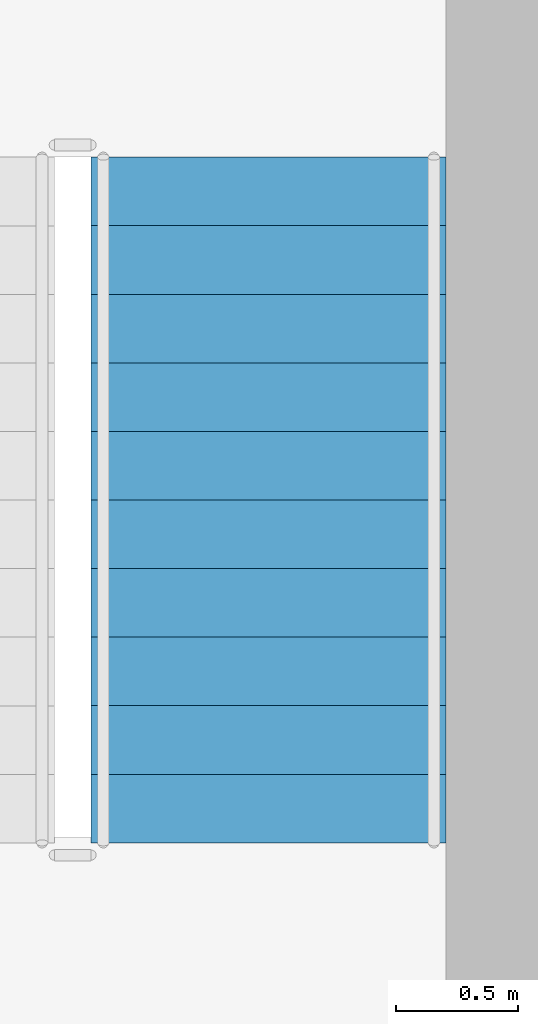
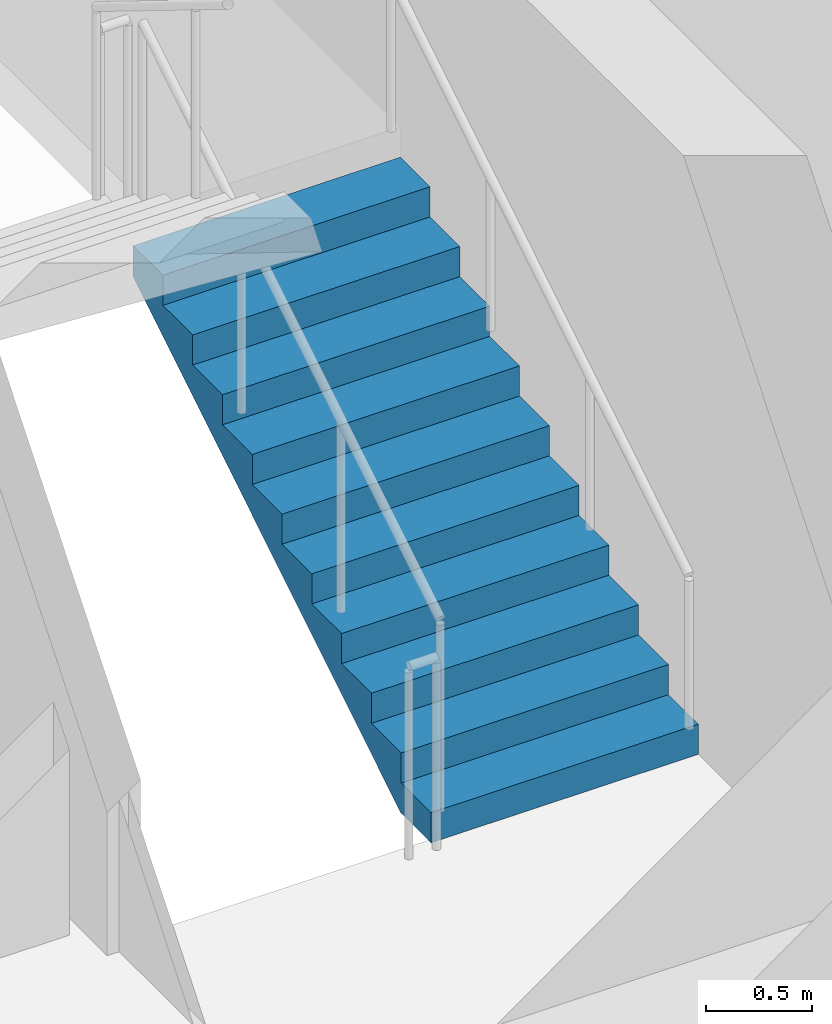
# One storey, part 31 of 34: 1 stair flight, 1 element without a shape of its own.
"""IFC4 building model written with IfcOpenShell, lengths in metres."""

from ifc_helpers import new_model, si_unit, direction, frame, origin, place, context, subcontext, project, spatial, polyline, outline, extrude, material, type_object, element, aggregate, save


model = new_model("IFC4")

# Units and contexts
model_context = context("Model", 3, precision=1e-05, world=origin(), true_north=direction((0.0, 1.0)))
body_context = subcontext(model_context, "Body", "Model", "MODEL_VIEW")
ifc_project = project(units=[si_unit("LENGTHUNIT", "METRE"), si_unit("AREAUNIT", "SQUARE_METRE"), si_unit("VOLUMEUNIT", "CUBIC_METRE"), si_unit("PLANEANGLEUNIT", "RADIAN"), si_unit("MASSUNIT", "GRAM", prefix="KILO")], contexts=[model_context])

# Site, building, storey
site_placement = place(None, origin())
site = spatial("IfcSite", under=ifc_project, at=site_placement, CompositionType="ELEMENT")
building_placement = place(site_placement, origin())
building = spatial("IfcBuilding", under=site, at=building_placement, Name="Saevonmaru Cultural Tower", CompositionType="ELEMENT")
storey_placement = place(building_placement, frame((0.0, 0.0, 220.800048828125)))
storey = spatial("IfcBuildingStorey", under=building, at=storey_placement, Name="L51", CompositionType="ELEMENT", Elevation=220.800048828125)

# Stair, stair flight
ifc_material_1 = material(Name="Concrete C40/50", Category="concrete")
stair_type = type_object("IfcStairType", Name="STR-DOGLEG-RC", PredefinedType="HALF_TURN_STAIR", material=ifc_material_1)
stair_placement = place(storey_placement, origin())
stair = element("IfcStair", 1, at=stair_placement, inside=storey, type_object=stair_type, Name="L51 Protected exit stair ST-2", PredefinedType="HALF_TURN_STAIR")
ifc_material_2 = material(Name="Precast concrete C40/50", Category="concrete")
stair_flight_type = type_object("IfcStairFlightType", Name="STF-PRECAST-180", PredefinedType="STRAIGHT", material=ifc_material_2)
stair_flight_placement = place(storey_placement, frame((45.074951171875, 44.85009765625, 0.0), z_axis=(0.0, 0.0, 1.0), x_axis=(0.0, 1.0, 0.0)))
stair_flight = element("IfcStairFlight", 2, at=stair_flight_placement, type_object=stair_flight_type, Name="ST-2-L51 flight 1", NumberOfRisers=11, NumberOfTreads=10, PredefinedType="STRAIGHT", RiserHeight=0.172727273, TreadLength=0.28, context=body_context, shape_type="SweptSolid", body=[
    extrude(outline(polyline([(0.0, 0.0), (0.0, 0.172607421875), (0.280029296875, 0.172607421875), (0.280029296875, 0.345458984375), (0.56005859375, 0.345458984375), (0.56005859375, 0.51806640625), (0.840087890625, 0.51806640625), (0.840087890625, 0.69091796875), (1.1201171875, 0.69091796875), (1.1201171875, 0.863525390625), (1.39990234375, 0.863525390625), (1.39990234375, 1.036376953125), (1.679931640625, 1.036376953125), (1.679931640625, 1.208984375), (1.9599609375, 1.208984375), (1.9599609375, 1.3818359375), (2.239990234375, 1.3818359375), (2.239990234375, 1.554443359375), (2.52001953125, 1.554443359375), (2.52001953125, 1.727294921875), (2.800048828125, 1.727294921875), (2.800048828125, 1.89990234375), (2.800048828125, 1.551025390625), (0.285400390625, 0.0), (0.0, 0.0)])), frame((0.0, 0.72509765625, 0.0), z_axis=(0.0, -1.0, 0.0), x_axis=(1.0, 0.0, 0.0)), (0.0, 0.0, 1.0), 1.449951171875),
])
aggregate(stair, [stair_flight])

save(model, "model.ifc")
